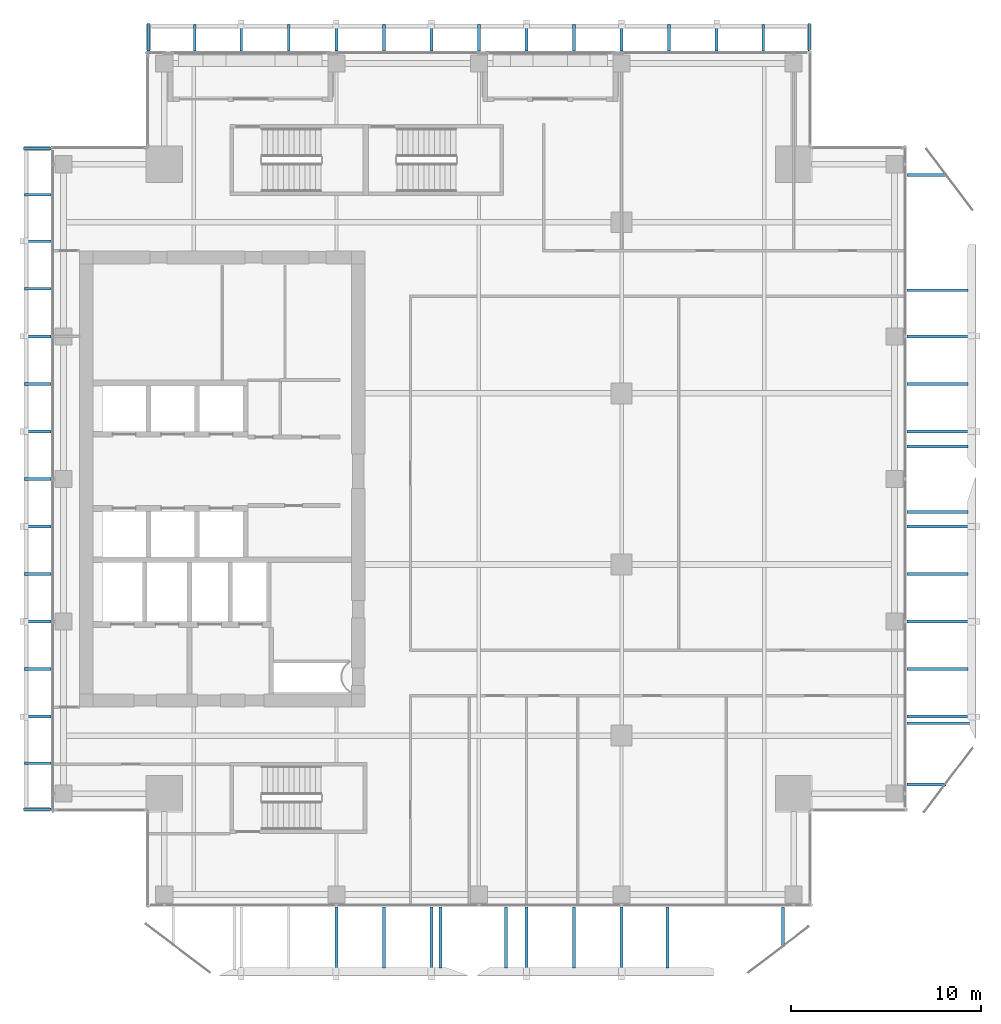
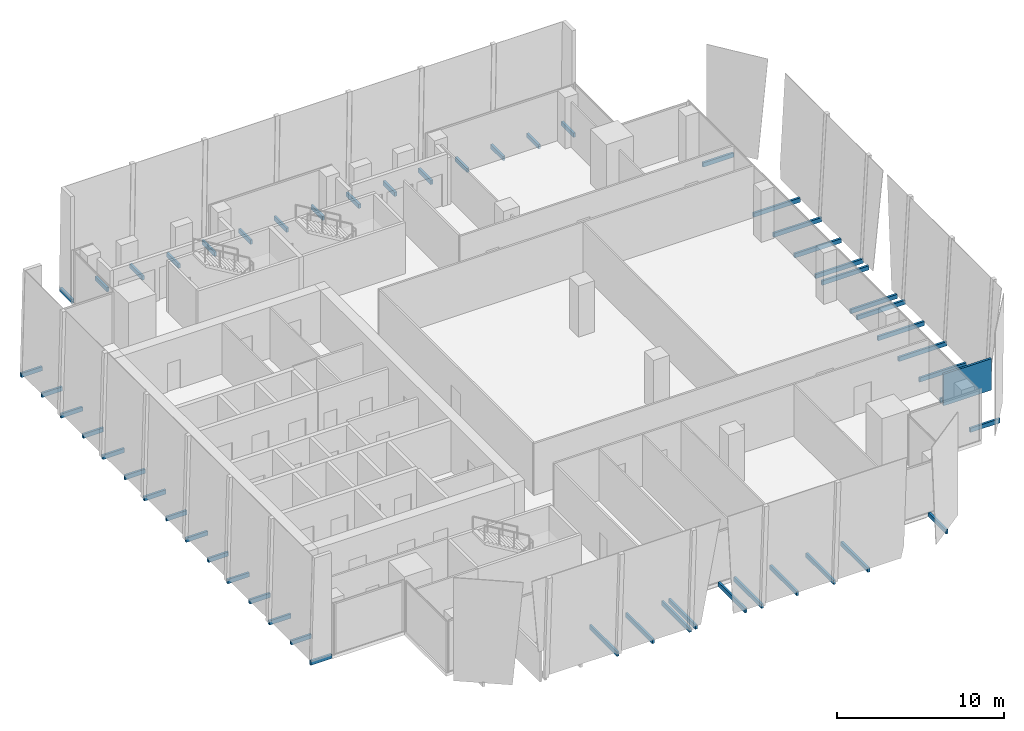
# One storey, part 31 of 35: 54 discrete accessories.
"""IFC4 building model written with IfcOpenShell, lengths in metres."""

from ifc_helpers import new_model, si_unit, direction, frame, origin, origin_2d, place, context, subcontext, project, spatial, rectangle, extrude, source, transform, mapped, material, type_object, element, save


model = new_model("IFC4")

# Units and contexts
model_context = context("Model", 3, precision=1e-05, world=origin(), true_north=direction((0.0, 1.0)))
body_context = subcontext(model_context, "Body", "Model", "MODEL_VIEW")
ifc_project = project(units=[si_unit("LENGTHUNIT", "METRE"), si_unit("AREAUNIT", "SQUARE_METRE"), si_unit("VOLUMEUNIT", "CUBIC_METRE"), si_unit("PLANEANGLEUNIT", "RADIAN"), si_unit("MASSUNIT", "GRAM", prefix="KILO")], contexts=[model_context])

# Site, building, storey
site_placement = place(None, origin())
site = spatial("IfcSite", under=ifc_project, at=site_placement, CompositionType="ELEMENT")
building_placement = place(site_placement, origin())
building = spatial("IfcBuilding", under=site, at=building_placement, Name="Khomas Fold Tower", CompositionType="ELEMENT")
storey_placement = place(building_placement, frame((0.0, 0.0, 266.199951171875)))
storey = spatial("IfcBuildingStorey", under=building, at=storey_placement, Name="L60", CompositionType="ELEMENT", Elevation=266.199951171875)

# Discrete accessories
ifc_material = material(Name="Stainless steel", Category="steel")
discrete_accessory_type = type_object("IfcDiscreteAccessoryType", Name="SK-Stainless steel stone bracket", PredefinedType="BRACKET", material=ifc_material)
shared_shape_1 = source(origin(), body_context, "Body", "SweptSolid", [
    extrude(rectangle(XDim=2.060791015625, YDim=0.14990234375, at=origin_2d()), origin(), (0.0, 0.0, 1.0), 0.31005859375),
])
discrete_accessory_1_placement = place(storey_placement, frame((50.5302734375, 10.92529296875, -0.25), z_axis=(0.0, 0.0, 1.0), x_axis=(1.0, 0.0, 0.0)))
element("IfcDiscreteAccessory", 1, at=discrete_accessory_1_placement, inside=storey, type_object=discrete_accessory_type, Name="Stone bracket L60 EG098-1-1", PredefinedType="BRACKET", context=body_context, shape_type="MappedRepresentation", body=[
    mapped(shared_shape_1, transform((0.0, 0.0, 0.0))),
])
shared_shape_2 = source(origin(), body_context, "Body", "SweptSolid", [
    extrude(rectangle(XDim=3.33740234375, YDim=0.14990234375, at=origin_2d()), origin(), (0.0, 0.0, 1.0), 2.31005859375),
])
discrete_accessory_2_placement = place(storey_placement, frame((51.168701171875, 14.149169921875, -0.25), z_axis=(0.0, 0.0, 1.0), x_axis=(1.0, 0.0, 0.0)))
element("IfcDiscreteAccessory", 2, at=discrete_accessory_2_placement, inside=storey, type_object=discrete_accessory_type, Name="Stone bracket L60 EG098-2-1", PredefinedType="BRACKET", context=body_context, shape_type="MappedRepresentation", body=[
    mapped(shared_shape_2, transform((0.0, 0.0, 0.0))),
])
shared_shape_3 = source(origin(), body_context, "Body", "SweptSolid", [
    extrude(rectangle(XDim=3.32763671875, YDim=0.14990234375, at=origin_2d()), origin(), (0.0, 0.0, 1.0), 0.31005859375),
])
for number, where, z_axis, x_axis, name in (
    (3, (19.5, 2.836181640625, -0.25), (0.0, 0.0, 1.0), (0.0, -1.0, 0.0), "Stone bracket L60 SM100-5-1"),
    (4, (24.5, 2.836181640625, -0.25), (0.0, 0.0, 1.0), (0.0, -1.0, 0.0), "Stone bracket L60 SM101-7-1"),
    (5, (29.5, 2.836181640625, -0.25), (0.0, 0.0, 1.0), (0.0, -1.0, 0.0), "Stone bracket L60 SM102-10-1"),
    (6, (34.5, 2.836181640625, -0.25), (0.0, 0.0, 1.0), (0.0, -1.0, 0.0), "Stone bracket L60 SM103-12-1"),
    (7, (51.163818359375, 14.5, -0.25), (0.0, 0.0, 1.0), (1.0, 0.0, 0.0), "Stone bracket L60 EM099-3-1"),
    (8, (51.163818359375, 19.5, -0.25), (0.0, 0.0, 1.0), (1.0, 0.0, 0.0), "Stone bracket L60 EM100-5-1"),
    (9, (51.163818359375, 24.5, -0.25), (0.0, 0.0, 1.0), (1.0, 0.0, 0.0), "Stone bracket L60 EM101-7-1"),
    (10, (51.163818359375, 29.5, -0.25), (0.0, 0.0, 1.0), (1.0, 0.0, 0.0), "Stone bracket L60 EM102-10-1"),
    (11, (51.163818359375, 34.5, -0.25), (0.0, 0.0, 1.0), (1.0, 0.0, 0.0), "Stone bracket L60 EM103-12-1"),
):
    element("IfcDiscreteAccessory", number, at=place(storey_placement, frame(where, z_axis=z_axis, x_axis=x_axis)), inside=storey, type_object=discrete_accessory_type, Name=name, PredefinedType="BRACKET", context=body_context, shape_type="MappedRepresentation", body=[
        mapped(shared_shape_3, transform((0.0, 0.0, 0.0))),
    ])
shared_shape_4 = source(origin(), body_context, "Body", "SweptSolid", [
    extrude(rectangle(XDim=3.232421875, YDim=0.14990234375, at=origin_2d()), origin(), (0.0, 0.0, 1.0), 0.31005859375),
])
for number, where, z_axis, x_axis, name in (
    (12, (22.0, 2.8837890625, -0.25), (0.0, 0.0, 1.0), (0.0, -1.0, 0.0), "Stone bracket L60 SG100-6-1"),
    (13, (24.982421875, 2.8837890625, -0.25), (0.0, 0.0, 1.0), (0.0, -1.0, 0.0), "Stone bracket L60 SG101-8-1"),
    (14, (28.425048828125, 2.8837890625, -0.25), (0.0, 0.0, 1.0), (0.0, -1.0, 0.0), "Stone bracket L60 SG101-9-1"),
    (15, (32.0, 2.8837890625, -0.25), (0.0, 0.0, 1.0), (0.0, -1.0, 0.0), "Stone bracket L60 SG102-11-1"),
    (16, (36.920654296875, 2.8837890625, -0.25), (0.0, 0.0, 1.0), (0.0, -1.0, 0.0), "Stone bracket L60 SG103-13-1"),
    (17, (51.1162109375, 17.0, -0.25), (0.0, 0.0, 1.0), (1.0, 0.0, 0.0), "Stone bracket L60 EG099-4-1"),
    (18, (51.1162109375, 22.0, -0.25), (0.0, 0.0, 1.0), (1.0, 0.0, 0.0), "Stone bracket L60 EG100-6-1"),
    (19, (51.1162109375, 25.2685546875, -0.25), (0.0, 0.0, 1.0), (1.0, 0.0, 0.0), "Stone bracket L60 EG101-8-1"),
    (20, (51.1162109375, 28.71142578125, -0.25), (0.0, 0.0, 1.0), (1.0, 0.0, 0.0), "Stone bracket L60 EG101-9-1"),
    (21, (51.1162109375, 32.0, -0.25), (0.0, 0.0, 1.0), (1.0, 0.0, 0.0), "Stone bracket L60 EG102-11-1"),
    (22, (51.1162109375, 36.920654296875, -0.25), (0.0, 0.0, 1.0), (1.0, 0.0, 0.0), "Stone bracket L60 EG103-13-1"),
):
    element("IfcDiscreteAccessory", number, at=place(storey_placement, frame(where, z_axis=z_axis, x_axis=x_axis)), inside=storey, type_object=discrete_accessory_type, Name=name, PredefinedType="BRACKET", context=body_context, shape_type="MappedRepresentation", body=[
        mapped(shared_shape_4, transform((0.0, 0.0, 0.0))),
    ])
shared_shape_5 = source(origin(), body_context, "Body", "SweptSolid", [
    extrude(rectangle(XDim=2.125, YDim=0.14990234375, at=origin_2d()), origin(), (0.0, 0.0, 1.0), 0.31005859375),
])
for number, where, z_axis, x_axis, name in (
    (23, (42.98974609375, 3.4375, -0.25), (0.0, 0.0, 1.0), (0.0, -1.0, 0.0), "Stone bracket L60 SG104-14-1"),
    (24, (50.5625, 42.98974609375, -0.25), (0.0, 0.0, 1.0), (1.0, 0.0, 0.0), "Stone bracket L60 EG104-14-1"),
):
    element("IfcDiscreteAccessory", number, at=place(storey_placement, frame(where, z_axis=z_axis, x_axis=x_axis)), inside=storey, type_object=discrete_accessory_type, Name=name, PredefinedType="BRACKET", context=body_context, shape_type="MappedRepresentation", body=[
        mapped(shared_shape_5, transform((0.0, 0.0, 0.0))),
    ])
shared_shape_6 = source(origin(), body_context, "Body", "SweptSolid", [
    extrude(rectangle(XDim=1.411376953125, YDim=0.14990234375, at=origin_2d()), origin(), (0.0, 0.0, 1.0), 0.31005859375),
])
for number, where, z_axis, x_axis, name in (
    (25, (12.050048828125, 50.205810546875, -0.25), (0.0, 0.0, 1.0), (0.0, 1.0, 0.0), "Stone bracket L60 PLNG01"),
    (26, (17.0, 50.205810546875, -0.25), (0.0, 0.0, 1.0), (0.0, 1.0, 0.0), "Stone bracket L60 PLNG03"),
    (27, (22.0, 50.205810546875, -0.25), (0.0, 0.0, 1.0), (0.0, 1.0, 0.0), "Stone bracket L60 PLNG05"),
    (28, (27.0, 50.205810546875, -0.25), (0.0, 0.0, 1.0), (0.0, 1.0, 0.0), "Stone bracket L60 PLNG07"),
    (29, (32.0, 50.205810546875, -0.25), (0.0, 0.0, 1.0), (0.0, 1.0, 0.0), "Stone bracket L60 PLNG09"),
    (30, (37.0, 50.205810546875, -0.25), (0.0, 0.0, 1.0), (0.0, 1.0, 0.0), "Stone bracket L60 PLNG11"),
    (31, (41.949951171875, 50.205810546875, -0.25), (0.0, 0.0, 1.0), (0.0, 1.0, 0.0), "Stone bracket L60 PLNG13"),
    (32, (3.794189453125, 12.050048828125, -0.25), (0.0, 0.0, 1.0), (-1.0, 0.0, 0.0), "Stone bracket L60 PLWG01"),
    (33, (3.794189453125, 17.0, -0.25), (0.0, 0.0, 1.0), (-1.0, 0.0, 0.0), "Stone bracket L60 PLWG03"),
    (34, (3.794189453125, 22.0, -0.25), (0.0, 0.0, 1.0), (-1.0, 0.0, 0.0), "Stone bracket L60 PLWG05"),
    (35, (3.794189453125, 27.0, -0.25), (0.0, 0.0, 1.0), (-1.0, 0.0, 0.0), "Stone bracket L60 PLWG07"),
    (36, (3.794189453125, 32.0, -0.25), (0.0, 0.0, 1.0), (-1.0, 0.0, 0.0), "Stone bracket L60 PLWG09"),
    (37, (3.794189453125, 37.0, -0.25), (0.0, 0.0, 1.0), (-1.0, 0.0, 0.0), "Stone bracket L60 PLWG11"),
    (38, (3.794189453125, 41.949951171875, -0.25), (0.0, 0.0, 1.0), (-1.0, 0.0, 0.0), "Stone bracket L60 PLWG13"),
):
    element("IfcDiscreteAccessory", number, at=place(storey_placement, frame(where, z_axis=z_axis, x_axis=x_axis)), inside=storey, type_object=discrete_accessory_type, Name=name, PredefinedType="BRACKET", context=body_context, shape_type="MappedRepresentation", body=[
        mapped(shared_shape_6, transform((0.0, 0.0, 0.0))),
    ])
shared_shape_7 = source(origin(), body_context, "Body", "SweptSolid", [
    extrude(rectangle(XDim=1.50634765625, YDim=0.14990234375, at=origin_2d()), origin(), (0.0, 0.0, 1.0), 0.31005859375),
])
for number, where, z_axis, x_axis, name in (
    (39, (14.5, 50.253173828125, -0.25), (0.0, 0.0, 1.0), (0.0, 1.0, 0.0), "Stone bracket L60 PLNM02"),
    (40, (19.5, 50.253173828125, -0.25), (0.0, 0.0, 1.0), (0.0, 1.0, 0.0), "Stone bracket L60 PLNM04"),
    (41, (24.5, 50.253173828125, -0.25), (0.0, 0.0, 1.0), (0.0, 1.0, 0.0), "Stone bracket L60 PLNM06"),
    (42, (29.5, 50.253173828125, -0.25), (0.0, 0.0, 1.0), (0.0, 1.0, 0.0), "Stone bracket L60 PLNM08"),
    (43, (34.5, 50.253173828125, -0.25), (0.0, 0.0, 1.0), (0.0, 1.0, 0.0), "Stone bracket L60 PLNM10"),
    (44, (39.5, 50.253173828125, -0.25), (0.0, 0.0, 1.0), (0.0, 1.0, 0.0), "Stone bracket L60 PLNM12"),
    (45, (3.746826171875, 14.5, -0.25), (0.0, 0.0, 1.0), (-1.0, 0.0, 0.0), "Stone bracket L60 PLWM02"),
    (46, (3.746826171875, 19.5, -0.25), (0.0, 0.0, 1.0), (-1.0, 0.0, 0.0), "Stone bracket L60 PLWM04"),
    (47, (3.746826171875, 24.5, -0.25), (0.0, 0.0, 1.0), (-1.0, 0.0, 0.0), "Stone bracket L60 PLWM06"),
    (48, (3.746826171875, 29.5, -0.25), (0.0, 0.0, 1.0), (-1.0, 0.0, 0.0), "Stone bracket L60 PLWM08"),
    (49, (3.746826171875, 34.5, -0.25), (0.0, 0.0, 1.0), (-1.0, 0.0, 0.0), "Stone bracket L60 PLWM10"),
    (50, (3.746826171875, 39.5, -0.25), (0.0, 0.0, 1.0), (-1.0, 0.0, 0.0), "Stone bracket L60 PLWM12"),
):
    element("IfcDiscreteAccessory", number, at=place(storey_placement, frame(where, z_axis=z_axis, x_axis=x_axis)), inside=storey, type_object=discrete_accessory_type, Name=name, PredefinedType="BRACKET", context=body_context, shape_type="MappedRepresentation", body=[
        mapped(shared_shape_7, transform((0.0, 0.0, 0.0))),
    ])
shared_shape_8 = source(origin(), body_context, "Body", "SweptSolid", [
    extrude(rectangle(XDim=1.451416015625, YDim=0.14990234375, at=origin_2d()), origin(), (0.0, 0.0, 1.0), 0.31005859375),
])
for number, where, z_axis, x_axis, name in (
    (51, (9.625, 50.2255859375, -0.25), (0.0, 0.0, 1.0), (0.0, 1.0, 0.0), "Stone bracket L60 PLNR1"),
    (52, (44.375, 50.2255859375, -0.25), (0.0, 0.0, 1.0), (0.0, 1.0, 0.0), "Stone bracket L60 PLNR2"),
    (53, (3.7744140625, 9.625, -0.25), (0.0, 0.0, 1.0), (-1.0, 0.0, 0.0), "Stone bracket L60 PLWR1"),
    (54, (3.7744140625, 44.375, -0.25), (0.0, 0.0, 1.0), (-1.0, 0.0, 0.0), "Stone bracket L60 PLWR2"),
):
    element("IfcDiscreteAccessory", number, at=place(storey_placement, frame(where, z_axis=z_axis, x_axis=x_axis)), inside=storey, type_object=discrete_accessory_type, Name=name, PredefinedType="BRACKET", context=body_context, shape_type="MappedRepresentation", body=[
        mapped(shared_shape_8, transform((0.0, 0.0, 0.0))),
    ])

save(model, "model.ifc")
